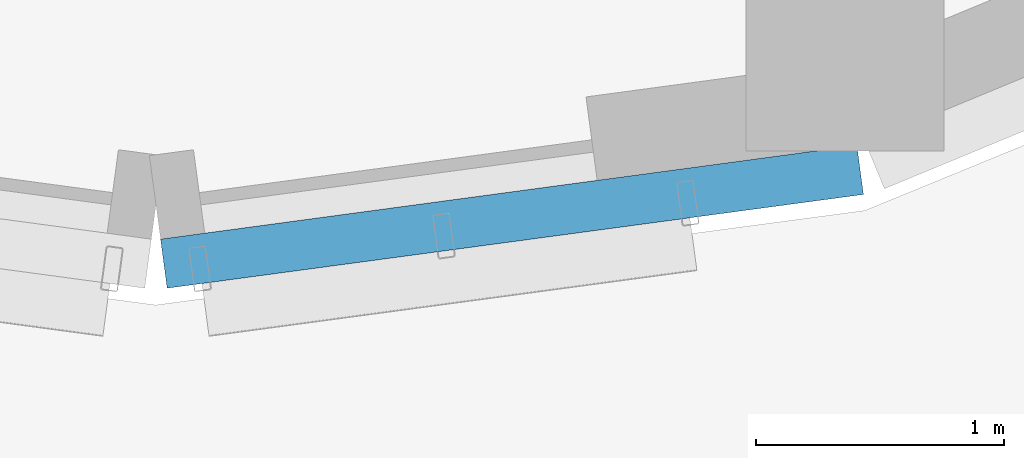
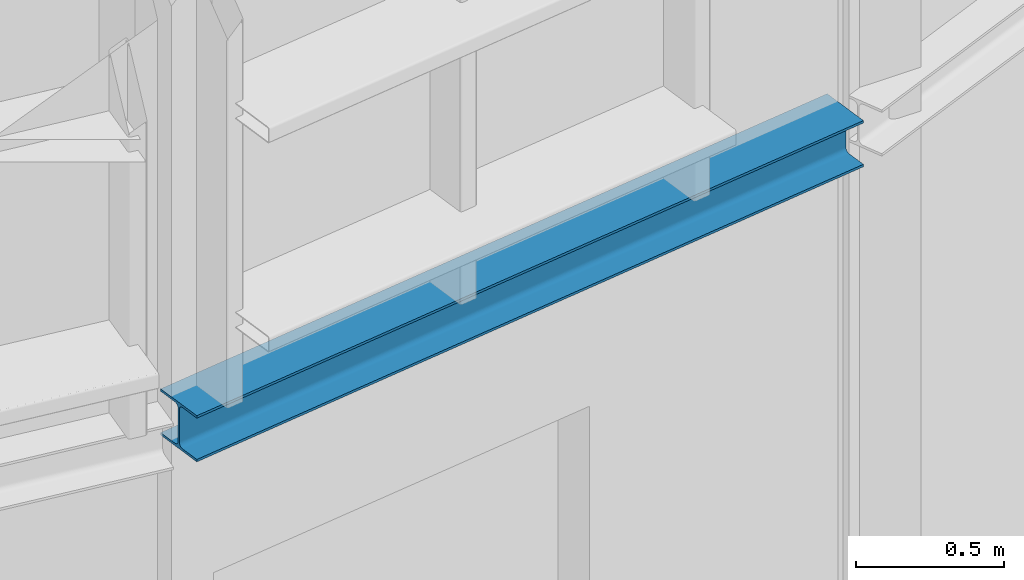
# One storey, part 37 of 372: 1 beam.
"""IFC4 building model written with IfcOpenShell, lengths in metres."""

from ifc_helpers import new_model, si_unit, direction, frame, origin, origin_2d, place, context, subcontext, project, spatial, i_section, extrude, material, material_profile, profile_set, type_object, element, save


model = new_model("IFC4")

# Units and contexts
model_context = context("Model", 3, precision=1e-05, world=origin(), true_north=direction((0.0, 1.0)))
body_context = subcontext(model_context, "Body", "Model", "MODEL_VIEW")
ifc_project = project(units=[si_unit("LENGTHUNIT", "METRE"), si_unit("AREAUNIT", "SQUARE_METRE"), si_unit("VOLUMEUNIT", "CUBIC_METRE"), si_unit("PLANEANGLEUNIT", "RADIAN"), si_unit("MASSUNIT", "GRAM", prefix="KILO")], contexts=[model_context])

# Site, building, storey
site_placement = place(None, origin())
site = spatial("IfcSite", under=ifc_project, at=site_placement, CompositionType="ELEMENT")
building_placement = place(site_placement, origin())
building = spatial("IfcBuilding", under=site, at=building_placement, Name="Kaelora Sail Theatre", CompositionType="ELEMENT")
storey_placement = place(building_placement, origin())
storey = spatial("IfcBuildingStorey", under=building, at=storey_placement, Name="L00", CompositionType="ELEMENT", Elevation=0.0)

# Beam
ifc_material = material(Name="Steel S355", Category="steel")
ifc_material_profile = material_profile(ifc_material, i_section(OverallWidth=0.199951171875, OverallDepth=0.18994140625, WebThickness=0.006591796875, FlangeThickness=0.010009765625, FilletRadius=0.01806640625, at=origin_2d()), Name="HEA 200")
ifc_profile_set = profile_set([ifc_material_profile], Name="Steel S355")
beam_type = type_object("IfcBeamType", Name="STR-BM-BM-HEA200", PredefinedType="BEAM", material=ifc_profile_set)
beam_placement = place(storey_placement, frame((44.844482421875, 23.960693359375, 3.0048828125), z_axis=(-0.991058036489, -0.133431511684, 0.0), x_axis=(0.133431511684, -0.991058036489, 0.0)))
element("IfcBeam", 1, at=beam_placement, inside=storey, type_object=beam_type, Name="Main Theatre Sail Drum brise-soleil portal lintel beam C11", PredefinedType="BEAM", context=body_context, shape_type="SweptSolid", body=[
    extrude(i_section(OverallWidth=0.199951171875, OverallDepth=0.18994140625, WebThickness=0.006591796875, FlangeThickness=0.010009765625, FilletRadius=0.01806640625, at=origin_2d()), origin(), (0.0, 0.0, 1.0), 2.837890625),
])

save(model, "model.ifc")
